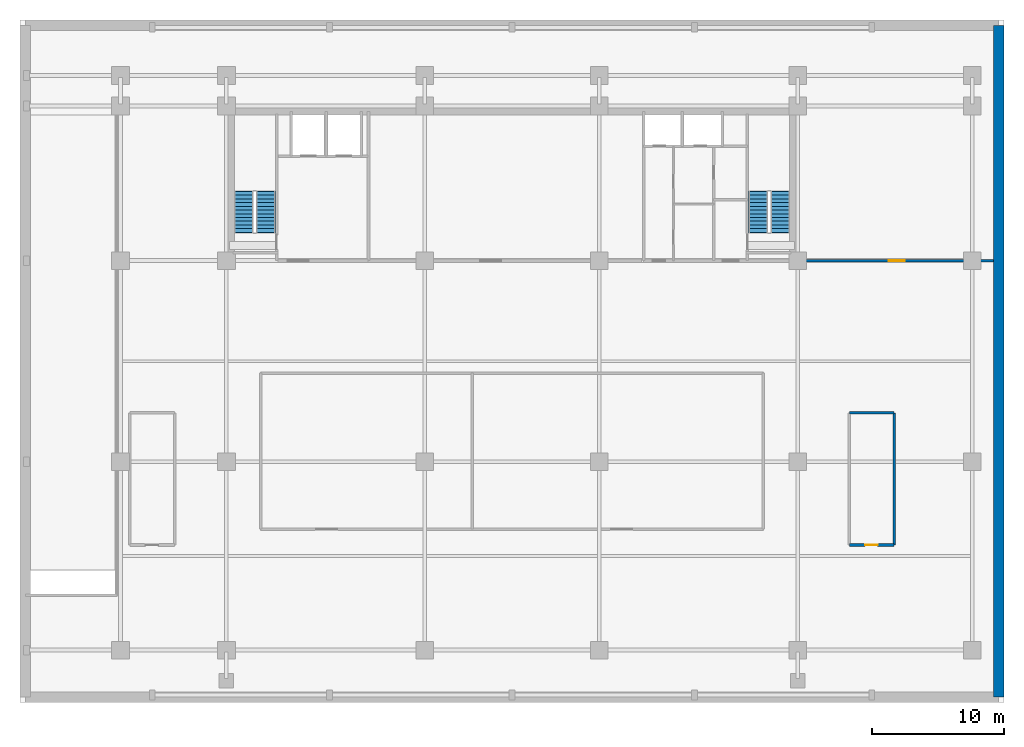
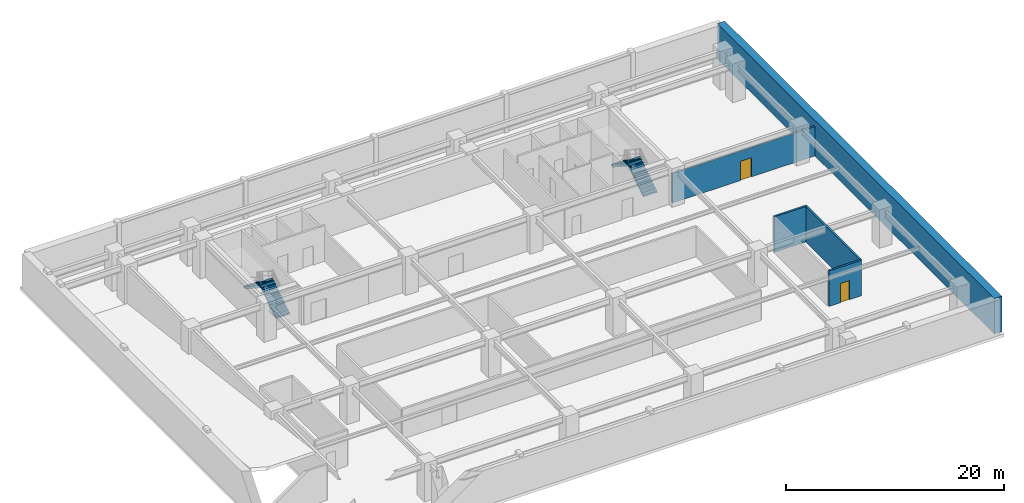
# One storey, part 6 of 8: 5 walls, 4 stair flights, 2 doors, 2 openings, 2 elements without a shape of their own.
"""IFC4 building model written with IfcOpenShell, lengths in metres."""

from ifc_helpers import new_model, si_unit, direction, frame, frame_2d, origin, place, context, subcontext, project, spatial, polyline, rectangle, outline, extrude, source, transform, mapped, material, layer, layer_set, type_object, element, fill, aggregate, save


model = new_model("IFC4")

# Units and contexts
model_context = context("Model", 3, precision=1e-05, world=origin(), true_north=direction((0.0, 1.0)))
body_context = subcontext(model_context, "Body", "Model", "MODEL_VIEW")
ifc_project = project(units=[si_unit("LENGTHUNIT", "METRE"), si_unit("AREAUNIT", "SQUARE_METRE"), si_unit("VOLUMEUNIT", "CUBIC_METRE"), si_unit("PLANEANGLEUNIT", "RADIAN"), si_unit("MASSUNIT", "GRAM", prefix="KILO")], contexts=[model_context])

# Site, building, storey
site_placement = place(None, origin())
site = spatial("IfcSite", under=ifc_project, at=site_placement, CompositionType="ELEMENT")
building_placement = place(site_placement, origin())
building = spatial("IfcBuilding", under=site, at=building_placement, Name="Trelvane Seafront Commons", CompositionType="ELEMENT")
storey_placement = place(building_placement, frame((0.0, 0.0, -8.60009765625)))
storey = spatial("IfcBuildingStorey", under=building, at=storey_placement, Name="B02", CompositionType="ELEMENT", Elevation=-8.60009765625)

# Wall, opening, door
ifc_material_1 = material(Name="Concrete C40/50", Category="concrete")
ifc_layer_1 = layer(ifc_material_1, 0.199951171875, Name="ARCH-WALL-FIRE200")
ifc_layer_set_1 = layer_set([ifc_layer_1], Name="Concrete C40/50")
wall_type_1 = type_object("IfcWallType", Name="ARCH-WALL-FIRE200", PredefinedType="PARTITIONING", material=ifc_layer_set_1)
wall_1_placement = place(storey_placement, frame((58.5, 33.39990234375, 0.0), z_axis=(0.0, 0.0, 1.0), x_axis=(1.0, 0.0, 0.0)))
wall_1 = element("IfcWall", 1, at=wall_1_placement, inside=storey, type_object=wall_type_1, Name="W-B02-BM-NE-S-037", PredefinedType="PARTITIONING", context=body_context, shape_type="SweptSolid", body=[
    extrude(rectangle(XDim=15.10009765625, YDim=0.199951171875, at=frame_2d((7.550048828125, 0.0))), origin(), (0.0, 0.0, 1.0), 3.280029296875),
])
opening_1_placement = place(wall_1_placement, frame((7.199951171875, 0.0, 0.0)))
opening_1 = element("IfcOpeningElement", 2, at=opening_1_placement, cuts=wall_1, Name="Opening FD-B02-18", PredefinedType="OPENING", context=body_context, shape_type="SweptSolid", body=[
    extrude(rectangle(XDim=1.199951171875, YDim=2.14990234375, at=frame_2d((0.60009765625, 1.074951171875))), frame((0.0, 0.10986328125, 0.0), z_axis=(0.0, -1.0, 0.0), x_axis=(1.0, 0.0, 0.0)), (0.0, 0.0, 1.0), 0.219970703125),
])
ifc_material_2 = material(Name="Powder-coated aluminium frame", Category="aluminium")
door_type_1 = type_object("IfcDoorType", Name="ARCH-DR-FD60-1200", OperationType="NOTDEFINED", PredefinedType="DOOR", material=ifc_material_2)
shared_shape_1 = source(origin(), body_context, "Body", "SweptSolid", [
    extrude(rectangle(XDim=1.199951171875, YDim=2.14990234375, at=frame_2d((0.60009765625, 1.074951171875))), frame((0.0, 0.02490234375, 0.0), z_axis=(0.0, -1.0, 0.0), x_axis=(1.0, 0.0, 0.0)), (0.0, 0.0, 1.0), 0.050048828125),
])
door_1_placement = place(opening_1_placement, origin())
door_1 = element("IfcDoor", 3, at=door_1_placement, inside=storey, type_object=door_type_1, Name="B02 Door 18", OperationType="SINGLE_SWING_RIGHT", OverallHeight=2.14990234375, OverallWidth=1.199951171875, PredefinedType="DOOR", context=body_context, shape_type="MappedRepresentation", body=[
    mapped(shared_shape_1, transform((0.0, 0.0, 0.0), x_axis=(1.0, 0.0, 0.0), y_axis=(0.0, 1.0, 0.0), z_axis=(0.0, 0.0, 1.0), scale=1.0)),
])
fill(opening_1, door_1)

# Walls
ifc_material_3 = material(Name="Concrete C50/60", Category="concrete")
ifc_layer_2 = layer(ifc_material_3, 0.800048828125, Name="STR-WALL-RET800")
ifc_layer_set_2 = layer_set([ifc_layer_2], Name="Concrete C50/60")
wall_type_2 = type_object("IfcWallType", Name="STR-WALL-RET800", PredefinedType="USERDEFINED", material=ifc_layer_set_2)
wall_2_placement = place(storey_placement, frame((74.0, 0.39990234375, 0.0), z_axis=(0.0, 0.0, 1.0), x_axis=(0.0, 1.0, 0.0)))
element("IfcWall", 4, at=wall_2_placement, inside=storey, type_object=wall_type_2, Name="RET-B02-06", ObjectType="RETAINING WALL", PredefinedType="USERDEFINED", context=body_context, shape_type="SweptSolid", body=[
    extrude(rectangle(XDim=50.800048828125, YDim=0.800048828125, at=frame_2d((25.39990234375, 0.0))), origin(), (0.0, 0.0, 1.0), 3.97998046875),
])
ifc_layer_3 = layer(ifc_material_3, 0.199951171875, Name="STR-WALL-STAIR200")
ifc_layer_set_3 = layer_set([ifc_layer_3], Name="Concrete C50/60")
wall_type_3 = type_object("IfcWallType", Name="STR-WALL-STAIR200", PredefinedType="SHEAR", material=ifc_layer_set_3)
wall_3_placement = place(storey_placement, frame((66.10009765625, 11.89990234375, 0.0), z_axis=(0.0, 0.0, 1.0), x_axis=(0.0, 1.0, 0.0)))
element("IfcWall", 5, at=wall_3_placement, inside=storey, type_object=wall_type_3, Name="W-B02-ST4B-E-013", PredefinedType="SHEAR", context=body_context, shape_type="SweptSolid", body=[
    extrude(rectangle(XDim=10.0, YDim=0.199951171875, at=frame_2d((5.0, 0.0))), origin(), (0.0, 0.0, 1.0), 3.97998046875),
])

# Wall, opening, door
wall_4_placement = place(storey_placement, frame((62.699951171875, 11.89990234375, 0.0), z_axis=(0.0, 0.0, 1.0), x_axis=(1.0, 0.0, 0.0)))
wall_4 = element("IfcWall", 6, at=wall_4_placement, inside=storey, type_object=wall_type_3, Name="W-B02-ST4B-S-014", PredefinedType="SHEAR", context=body_context, shape_type="SweptSolid", body=[
    extrude(rectangle(XDim=3.400146484375, YDim=0.199951171875, at=frame_2d((1.7001953125, 0.0))), origin(), (0.0, 0.0, 1.0), 3.97998046875),
])
opening_2_placement = place(wall_4_placement, frame((1.199951171875, 0.0, 0.0)))
opening_2 = element("IfcOpeningElement", 7, at=opening_2_placement, cuts=wall_4, Name="Opening FD-B02-04", PredefinedType="OPENING", context=body_context, shape_type="SweptSolid", body=[
    extrude(rectangle(XDim=0.949951171875, YDim=2.14990234375, at=frame_2d((0.47509765625, 1.074951171875))), frame((0.0, 0.10986328125, 0.0), z_axis=(0.0, -1.0, 0.0), x_axis=(1.0, 0.0, 0.0)), (0.0, 0.0, 1.0), 0.219970703125),
])
door_type_2 = type_object("IfcDoorType", Name="ARCH-DR-FD60-950", OperationType="NOTDEFINED", PredefinedType="DOOR", material=ifc_material_2)
shared_shape_2 = source(origin(), body_context, "Body", "SweptSolid", [
    extrude(rectangle(XDim=0.949951171875, YDim=2.14990234375, at=frame_2d((0.47509765625, 1.074951171875))), frame((0.0, 0.02490234375, 0.0), z_axis=(0.0, -1.0, 0.0), x_axis=(1.0, 0.0, 0.0)), (0.0, 0.0, 1.0), 0.050048828125),
])
door_2_placement = place(opening_2_placement, origin())
door_2 = element("IfcDoor", 8, at=door_2_placement, inside=storey, type_object=door_type_2, Name="B02 Door 04", OperationType="SINGLE_SWING_RIGHT", OverallHeight=2.14990234375, OverallWidth=0.949951171875, PredefinedType="DOOR", context=body_context, shape_type="MappedRepresentation", body=[
    mapped(shared_shape_2, transform((0.0, 0.0, 0.0), x_axis=(1.0, 0.0, 0.0), y_axis=(0.0, 1.0, 0.0), z_axis=(0.0, 0.0, 1.0), scale=1.0)),
])
fill(opening_2, door_2)

# Wall
wall_5_placement = place(storey_placement, frame((62.699951171875, 21.89990234375, 0.0), z_axis=(0.0, 0.0, 1.0), x_axis=(1.0, 0.0, 0.0)))
element("IfcWall", 9, at=wall_5_placement, inside=storey, type_object=wall_type_3, Name="W-B02-ST4B-N-015", PredefinedType="SHEAR", context=body_context, shape_type="SweptSolid", body=[
    extrude(rectangle(XDim=3.400146484375, YDim=0.199951171875, at=frame_2d((1.7001953125, 0.0))), origin(), (0.0, 0.0, 1.0), 3.97998046875),
])

# Stair, stair flights
stair_type_1 = type_object("IfcStairType", Name="ARCH-STR-ST-1-R24-179", PredefinedType="HALF_TURN_STAIR", material=ifc_material_1)
stair_1_placement = place(storey_placement, origin())
stair_1 = element("IfcStair", 10, at=stair_1_placement, inside=storey, type_object=stair_type_1, Name="B02 West Protected Firefighting Exit Stair ST-1", PredefinedType="HALF_TURN_STAIR")
stair_flight_type_1 = type_object("IfcStairFlightType", Name="ARCH-FLG-ST-1-R24-179", PredefinedType="STRAIGHT", material=ifc_material_1)
shared_shape_3 = source(origin(), body_context, "Body", "SweptSolid", [
    extrude(outline(polyline([(-0.050048828125, -0.02001953125), (-0.050048828125, 0.0), (0.0, 0.0), (0.0, 0.17919921875), (0.280029296875, 0.17919921875), (0.280029296875, 0.3583984375), (0.56005859375, 0.3583984375), (0.56005859375, 0.53759765625), (0.840087890625, 0.53759765625), (0.840087890625, 0.716552734375), (1.1201171875, 0.716552734375), (1.1201171875, 0.895751953125), (1.39990234375, 0.895751953125), (1.39990234375, 1.074951171875), (1.679931640625, 1.074951171875), (1.679931640625, 1.254150390625), (1.9599609375, 1.254150390625), (1.9599609375, 1.433349609375), (2.239990234375, 1.433349609375), (2.239990234375, 1.612548828125), (2.52001953125, 1.612548828125), (2.52001953125, 1.791748046875), (2.800048828125, 1.791748046875), (2.800048828125, 1.970947265625), (3.080078125, 1.970947265625), (3.080078125, 2.14990234375), (3.1298828125, 2.14990234375), (3.1298828125, 2.0), (3.080078125, 1.79296875), (0.278076171875, -0.02001953125), (-0.050048828125, -0.02001953125)])), frame((0.0, 0.72509765625, 0.0), z_axis=(0.0, -1.0, 0.0), x_axis=(1.0, 0.0, 0.0)), (0.0, 0.0, 1.0), 1.449951171875),
])
stair_flight_1_placement = place(storey_placement, frame((18.574951171875, 35.550048828125, 0.0), z_axis=(0.0, 0.0, 1.0), x_axis=(0.0, 1.0, 0.0)))
stair_flight_1 = element("IfcStairFlight", 11, at=stair_flight_1_placement, type_object=stair_flight_type_1, Name="ST-1 flight 1", NumberOfRisers=12, NumberOfTreads=11, PredefinedType="STRAIGHT", RiserHeight=0.179166667, TreadLength=0.28, context=body_context, shape_type="MappedRepresentation", body=[
    mapped(shared_shape_3, transform((0.0, 0.0, 0.0), x_axis=(1.0, 0.0, 0.0), y_axis=(0.0, 1.0, 0.0), z_axis=(0.0, 0.0, 1.0), scale=1.0)),
])
stair_flight_2_placement = place(storey_placement, frame((16.925048828125, 38.6298828125, 2.150146484375), z_axis=(0.0, 0.0, 1.0), x_axis=(0.0, -1.0, 0.0)))
stair_flight_2 = element("IfcStairFlight", 12, at=stair_flight_2_placement, type_object=stair_flight_type_1, Name="ST-1 flight 2", NumberOfRisers=12, NumberOfTreads=11, PredefinedType="STRAIGHT", RiserHeight=0.179166667, TreadLength=0.28, context=body_context, shape_type="MappedRepresentation", body=[
    mapped(shared_shape_3, transform((0.0, 0.0, 0.0), x_axis=(1.0, 0.0, 0.0), y_axis=(0.0, 1.0, 0.0), z_axis=(0.0, 0.0, 1.0), scale=1.0)),
])
aggregate(stair_1, [stair_flight_1, stair_flight_2])

stair_type_2 = type_object("IfcStairType", Name="ARCH-STR-ST-2-R24-179", PredefinedType="HALF_TURN_STAIR", material=ifc_material_1)
stair_2_placement = place(storey_placement, origin())
stair_2 = element("IfcStair", 13, at=stair_2_placement, inside=storey, type_object=stair_type_2, Name="B02 East Protected Firefighting Exit Stair ST-2", PredefinedType="HALF_TURN_STAIR")
stair_flight_type_2 = type_object("IfcStairFlightType", Name="ARCH-FLG-ST-2-R24-179", PredefinedType="STRAIGHT", material=ifc_material_1)
stair_flight_3_placement = place(storey_placement, frame((57.47509765625, 35.550048828125, 0.0), z_axis=(0.0, 0.0, 1.0), x_axis=(0.0, 1.0, 0.0)))
stair_flight_3 = element("IfcStairFlight", 14, at=stair_flight_3_placement, type_object=stair_flight_type_2, Name="ST-2 flight 1", NumberOfRisers=12, NumberOfTreads=11, PredefinedType="STRAIGHT", RiserHeight=0.179166667, TreadLength=0.28, context=body_context, shape_type="MappedRepresentation", body=[
    mapped(shared_shape_3, transform((0.0, 0.0, 0.0), x_axis=(1.0, 0.0, 0.0), y_axis=(0.0, 1.0, 0.0), z_axis=(0.0, 0.0, 1.0), scale=1.0)),
])
stair_flight_4_placement = place(storey_placement, frame((55.824951171875, 38.6298828125, 2.150146484375), z_axis=(0.0, 0.0, 1.0), x_axis=(0.0, -1.0, 0.0)))
stair_flight_4 = element("IfcStairFlight", 15, at=stair_flight_4_placement, type_object=stair_flight_type_2, Name="ST-2 flight 2", NumberOfRisers=12, NumberOfTreads=11, PredefinedType="STRAIGHT", RiserHeight=0.179166667, TreadLength=0.28, context=body_context, shape_type="MappedRepresentation", body=[
    mapped(shared_shape_3, transform((0.0, 0.0, 0.0), x_axis=(1.0, 0.0, 0.0), y_axis=(0.0, 1.0, 0.0), z_axis=(0.0, 0.0, 1.0), scale=1.0)),
])
aggregate(stair_2, [stair_flight_3, stair_flight_4])

save(model, "model.ifc")
